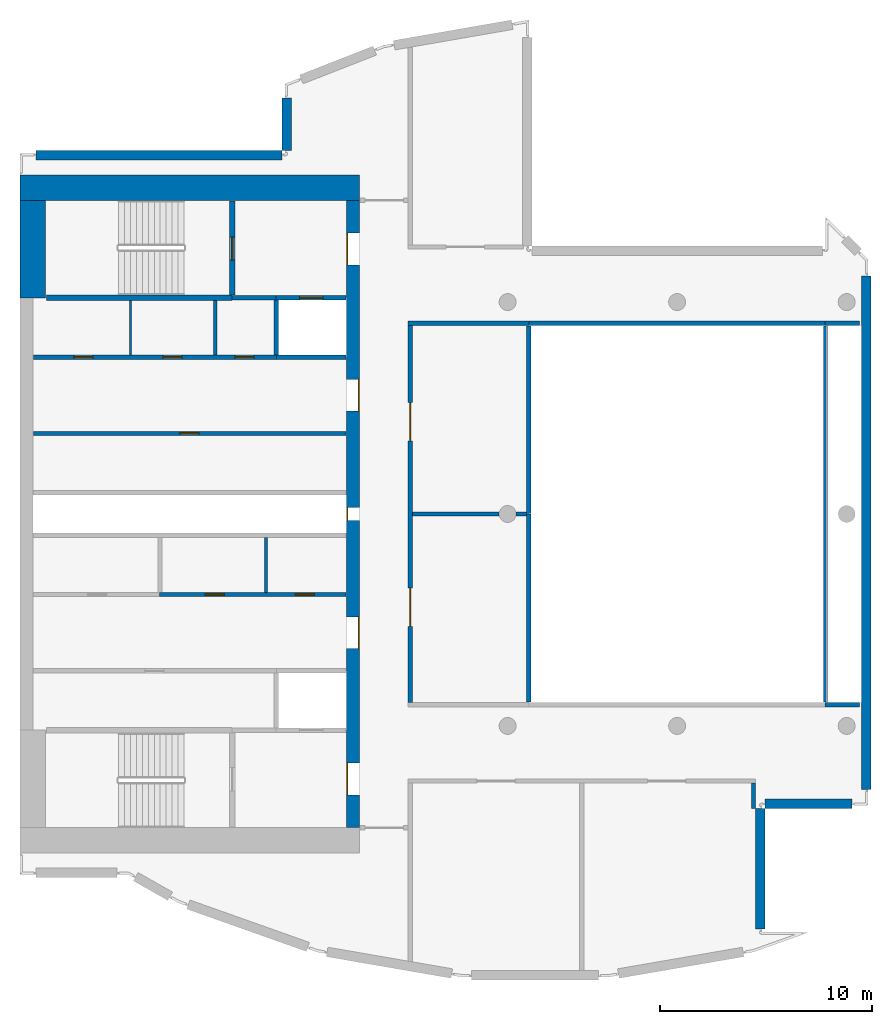
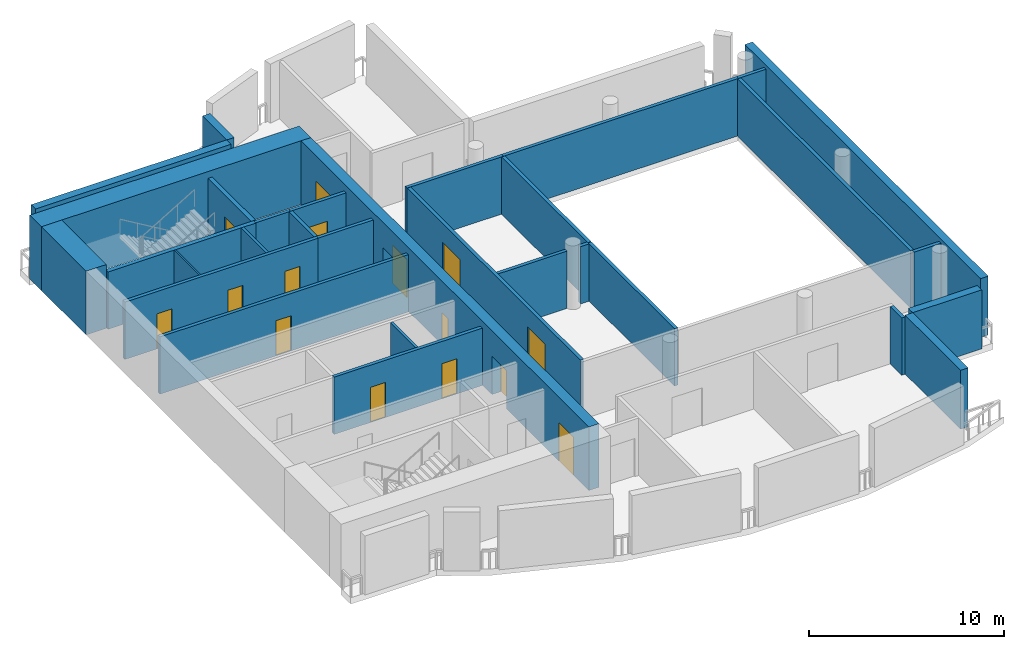
# One storey, part 2 of 8: 31 walls, 15 doors, 15 openings.
"""IFC4 building model written with IfcOpenShell, lengths in metres."""

from ifc_helpers import new_model, si_unit, direction, frame, frame_2d, origin, place, context, subcontext, project, spatial, rectangle, extrude, material, layer, layer_set, type_object, element, fill, save


model = new_model("IFC4")

# Units and contexts
model_context = context("Model", 3, precision=1e-05, world=origin(), true_north=direction((0.0, 1.0)))
body_context = subcontext(model_context, "Body", "Model", "MODEL_VIEW")
ifc_project = project(units=[si_unit("LENGTHUNIT", "METRE"), si_unit("AREAUNIT", "SQUARE_METRE"), si_unit("VOLUMEUNIT", "CUBIC_METRE"), si_unit("PLANEANGLEUNIT", "RADIAN"), si_unit("MASSUNIT", "GRAM", prefix="KILO")], contexts=[model_context])

# Site, building, storey
site_placement = place(None, origin())
site = spatial("IfcSite", under=ifc_project, at=site_placement, CompositionType="ELEMENT")
building_placement = place(site_placement, origin())
building = spatial("IfcBuilding", under=site, at=building_placement, Name="Cypress Arch Tower", CompositionType="ELEMENT")
storey_placement = place(building_placement, frame((0.0, 0.0, 347.0)))
storey = spatial("IfcBuildingStorey", under=building, at=storey_placement, Name="L79", CompositionType="ELEMENT", Elevation=347.0)

# Walls
ifc_material_1 = material(Name="Brick (red buff blend)", Category="masonry")
ifc_layer_1 = layer(ifc_material_1, 0.449951171875)
ifc_layer_set_1 = layer_set([ifc_layer_1], Name="Brick belt wall BW450-B")
wall_type_1 = type_object("IfcWallType", Name="Brick belt wall BW450-B", PredefinedType="SOLIDWALL", material=ifc_layer_set_1)
wall_1_placement = place(storey_placement, frame((4.925048828125, -19.590087890625, 0.0), z_axis=(0.0, 0.0, 1.0), x_axis=(0.0, 1.0, 0.0)))
element("IfcWall", 1, at=wall_1_placement, inside=storey, type_object=wall_type_1, Name="Brick wall L79 K08.0", PredefinedType="SOLIDWALL", context=body_context, shape_type="SweptSolid", body=[
    extrude(rectangle(XDim=5.7001953125, YDim=0.449951171875, at=frame_2d((2.85009765625, 0.0))), origin(), (0.0, 0.0, 1.0), 3.699951171875),
])
wall_2_placement = place(storey_placement, frame((5.14990234375, -13.6650390625, 0.0), z_axis=(0.0, 0.0, 1.0), x_axis=(1.0, 0.0, 0.0)))
element("IfcWall", 2, at=wall_2_placement, inside=storey, type_object=wall_type_1, Name="Brick wall L79 K09.0", PredefinedType="SOLIDWALL", context=body_context, shape_type="SweptSolid", body=[
    extrude(rectangle(XDim=4.10009765625, YDim=0.449951171875, at=frame_2d((2.050048828125, 0.0))), origin(), (0.0, 0.0, 1.0), 3.699951171875),
])
wall_3_placement = place(storey_placement, frame((9.925048828125, -12.989990234375, 0.0), z_axis=(0.0, 0.0, 1.0), x_axis=(0.0, 1.0, 0.0)))
element("IfcWall", 3, at=wall_3_placement, inside=storey, type_object=wall_type_1, Name="Brick wall L79 K10.0", PredefinedType="SOLIDWALL", context=body_context, shape_type="SweptSolid", body=[
    extrude(rectangle(XDim=24.229248046875, YDim=0.449951171875, at=frame_2d((12.11474609375, 0.0))), origin(), (0.0, 0.0, 1.0), 3.699951171875),
])
wall_4_placement = place(storey_placement, frame((-17.425048828125, 19.63525390625, 0.0), z_axis=(0.0, 0.0, 1.0), x_axis=(0.0, -1.0, 0.0)))
element("IfcWall", 4, at=wall_4_placement, inside=storey, type_object=wall_type_1, Name="Brick wall L79 K17.0", PredefinedType="SOLIDWALL", context=body_context, shape_type="SweptSolid", body=[
    extrude(rectangle(XDim=2.4853515625, YDim=0.449951171875, at=frame_2d((1.24267578125, 0.0))), origin(), (0.0, 0.0, 1.0), 3.699951171875),
])
wall_5_placement = place(storey_placement, frame((-17.64990234375, 16.925048828125, 0.0), z_axis=(0.0, 0.0, 1.0), x_axis=(-1.0, 0.0, 0.0)))
element("IfcWall", 5, at=wall_5_placement, inside=storey, type_object=wall_type_1, Name="Brick wall L79 K18.0", PredefinedType="SOLIDWALL", context=body_context, shape_type="SweptSolid", body=[
    extrude(rectangle(XDim=11.60009765625, YDim=0.449951171875, at=frame_2d((5.800048828125, 0.0))), origin(), (0.0, 0.0, 1.0), 3.699951171875),
])
ifc_material_2 = material(Name="Concrete C50/60", Category="concrete")
ifc_layer_2 = layer(ifc_material_2, 1.199951171875)
ifc_layer_set_2 = layer_set([ifc_layer_2], Name="Core wall CW1200 C50/60")
wall_type_2 = type_object("IfcWallType", Name="Core wall CW1200 C50/60", PredefinedType="SHEAR", material=ifc_layer_set_2)
wall_6_placement = place(storey_placement, frame((-30.0, 15.39990234375, 0.0), z_axis=(0.0, 0.0, 1.0), x_axis=(1.0, 0.0, 0.0)))
element("IfcWall", 6, at=wall_6_placement, inside=storey, type_object=wall_type_2, Name="Core wall", PredefinedType="SHEAR", context=body_context, shape_type="SweptSolid", body=[
    extrude(rectangle(XDim=16.0, YDim=1.199951171875, at=frame_2d((8.0, 0.0))), origin(), (0.0, 0.0, 1.0), 4.0),
])
wall_7_placement = place(storey_placement, frame((-29.39990234375, 10.199951171875, 0.0), z_axis=(0.0, 0.0, 1.0), x_axis=(0.0, 1.0, 0.0)))
element("IfcWall", 7, at=wall_7_placement, inside=storey, type_object=wall_type_2, Name="Core wall", PredefinedType="SHEAR", context=body_context, shape_type="SweptSolid", body=[
    extrude(rectangle(XDim=4.60009765625, YDim=1.199951171875, at=frame_2d((2.300048828125, 0.0))), origin(), (0.0, 0.0, 1.0), 4.0),
])

# Wall, openings, doors
ifc_material_3 = material(Name="Concrete C50/60", Category="concrete")
ifc_layer_3 = layer(ifc_material_3, 0.60009765625)
ifc_layer_set_3 = layer_set([ifc_layer_3], Name="Core wall CW600 C50/60")
wall_type_3 = type_object("IfcWallType", Name="Core wall CW600 C50/60", PredefinedType="SHEAR", material=ifc_layer_set_3)
wall_8_placement = place(storey_placement, frame((-14.300048828125, -14.800048828125, 0.0), z_axis=(0.0, 0.0, 1.0), x_axis=(0.0, 1.0, 0.0)))
wall_8 = element("IfcWall", 8, at=wall_8_placement, inside=storey, type_object=wall_type_3, Name="Core wall", PredefinedType="SHEAR", context=body_context, shape_type="SweptSolid", body=[
    extrude(rectangle(XDim=29.60009765625, YDim=0.60009765625, at=frame_2d((14.800048828125, 0.0))), origin(), (0.0, 0.0, 1.0), 4.0),
])
opening_1_placement = place(wall_8_placement, frame((1.550048828125, 0.0, 0.0)))
opening_1 = element("IfcOpeningElement", 9, at=opening_1_placement, cuts=wall_8, Name="Opening D07", PredefinedType="OPENING", context=body_context, shape_type="SweptSolid", body=[
    extrude(rectangle(XDim=1.5, YDim=2.39990234375, at=frame_2d((0.75, 1.199951171875))), frame((0.0, 0.31005859375, 0.0), z_axis=(0.0, -1.0, 0.0), x_axis=(1.0, 0.0, 0.0)), (0.0, 0.0, 1.0), 0.6201171875),
])
opening_2_placement = place(wall_8_placement, frame((26.550048828125, 0.0, 0.0)))
opening_2 = element("IfcOpeningElement", 10, at=opening_2_placement, cuts=wall_8, Name="Opening D07", PredefinedType="OPENING", context=body_context, shape_type="SweptSolid", body=[
    extrude(rectangle(XDim=1.5, YDim=2.39990234375, at=frame_2d((0.75, 1.199951171875))), frame((0.0, 0.31005859375, 0.0), z_axis=(0.0, -1.0, 0.0), x_axis=(1.0, 0.0, 0.0)), (0.0, 0.0, 1.0), 0.6201171875),
])
opening_3_placement = place(wall_8_placement, frame((8.449951171875, 0.0, 0.0)))
opening_3 = element("IfcOpeningElement", 11, at=opening_3_placement, cuts=wall_8, Name="Opening D07", PredefinedType="OPENING", context=body_context, shape_type="SweptSolid", body=[
    extrude(rectangle(XDim=1.5, YDim=2.39990234375, at=frame_2d((0.75, 1.199951171875))), frame((0.0, 0.31005859375, 0.0), z_axis=(0.0, -1.0, 0.0), x_axis=(1.0, 0.0, 0.0)), (0.0, 0.0, 1.0), 0.6201171875),
])
opening_4_placement = place(wall_8_placement, frame((19.64990234375, 0.0, 0.0)))
opening_4 = element("IfcOpeningElement", 12, at=opening_4_placement, cuts=wall_8, Name="Opening D07", PredefinedType="OPENING", context=body_context, shape_type="SweptSolid", body=[
    extrude(rectangle(XDim=1.5, YDim=2.39990234375, at=frame_2d((0.75, 1.199951171875))), frame((0.0, 0.31005859375, 0.0), z_axis=(0.0, -1.0, 0.0), x_axis=(1.0, 0.0, 0.0)), (0.0, 0.0, 1.0), 0.6201171875),
])
opening_5_placement = place(wall_8_placement, frame((14.5, 0.0, 0.0)))
opening_5 = element("IfcOpeningElement", 13, at=opening_5_placement, cuts=wall_8, Name="Opening D08", PredefinedType="OPENING", context=body_context, shape_type="SweptSolid", body=[
    extrude(rectangle(XDim=0.60009765625, YDim=2.0, at=frame_2d((0.300048828125, 1.0))), frame((0.0, 0.31005859375, 0.0), z_axis=(0.0, -1.0, 0.0), x_axis=(1.0, 0.0, 0.0)), (0.0, 0.0, 1.0), 0.6201171875),
])
ifc_material_4 = material(Name="Steel framed glazed door, fire resisting", Category="steel")
door_type_1 = type_object("IfcDoorType", Name="Lobby door D07 1500x2400", OperationType="DOUBLE_DOOR_SINGLE_SWING", PredefinedType="DOOR", material=ifc_material_4)
door_1_placement = place(opening_1_placement, origin())
door_1 = element("IfcDoor", 14, at=door_1_placement, inside=storey, type_object=door_type_1, Name="Lobby door", OperationType="DOUBLE_DOOR_SINGLE_SWING", OverallHeight=2.39990234375, OverallWidth=1.5, PredefinedType="DOOR", context=body_context, shape_type="SweptSolid", body=[
    extrude(rectangle(XDim=1.5, YDim=2.39990234375, at=frame_2d((0.75, 1.199951171875))), frame((0.0, 0.294921875, 0.0), z_axis=(0.0, -1.0, 0.0), x_axis=(1.0, 0.0, 0.0)), (0.0, 0.0, 1.0), 0.050048828125),
])
fill(opening_1, door_1)
door_2_placement = place(opening_2_placement, origin())
door_2 = element("IfcDoor", 15, at=door_2_placement, inside=storey, type_object=door_type_1, Name="Lobby door", OperationType="DOUBLE_DOOR_SINGLE_SWING", OverallHeight=2.39990234375, OverallWidth=1.5, PredefinedType="DOOR", context=body_context, shape_type="SweptSolid", body=[
    extrude(rectangle(XDim=1.5, YDim=2.39990234375, at=frame_2d((0.75, 1.199951171875))), frame((0.0, 0.294921875, 0.0), z_axis=(0.0, -1.0, 0.0), x_axis=(1.0, 0.0, 0.0)), (0.0, 0.0, 1.0), 0.050048828125),
])
fill(opening_2, door_2)
door_3_placement = place(opening_3_placement, origin())
door_3 = element("IfcDoor", 16, at=door_3_placement, inside=storey, type_object=door_type_1, Name="Lobby door", OperationType="DOUBLE_DOOR_SINGLE_SWING", OverallHeight=2.39990234375, OverallWidth=1.5, PredefinedType="DOOR", context=body_context, shape_type="SweptSolid", body=[
    extrude(rectangle(XDim=1.5, YDim=2.39990234375, at=frame_2d((0.75, 1.199951171875))), frame((0.0, -0.2451171875, 0.0), z_axis=(0.0, -1.0, 0.0), x_axis=(1.0, 0.0, 0.0)), (0.0, 0.0, 1.0), 0.050048828125),
])
fill(opening_3, door_3)
door_4_placement = place(opening_4_placement, origin())
door_4 = element("IfcDoor", 17, at=door_4_placement, inside=storey, type_object=door_type_1, Name="Lobby door", OperationType="DOUBLE_DOOR_SINGLE_SWING", OverallHeight=2.39990234375, OverallWidth=1.5, PredefinedType="DOOR", context=body_context, shape_type="SweptSolid", body=[
    extrude(rectangle(XDim=1.5, YDim=2.39990234375, at=frame_2d((0.75, 1.199951171875))), frame((0.0, -0.2451171875, 0.0), z_axis=(0.0, -1.0, 0.0), x_axis=(1.0, 0.0, 0.0)), (0.0, 0.0, 1.0), 0.050048828125),
])
fill(opening_4, door_4)
ifc_material_5 = material(Name="Steel access door, fire resisting", Category="steel")
door_type_2 = type_object("IfcDoorType", Name="Riser access door D08 600x2000", OperationType="SINGLE_SWING_LEFT", PredefinedType="DOOR", material=ifc_material_5)
door_5_placement = place(opening_5_placement, origin())
door_5 = element("IfcDoor", 18, at=door_5_placement, inside=storey, type_object=door_type_2, Name="Riser access door", OperationType="SINGLE_SWING_RIGHT", OverallHeight=2.0, OverallWidth=0.60009765625, PredefinedType="DOOR", context=body_context, shape_type="SweptSolid", body=[
    extrude(rectangle(XDim=0.60009765625, YDim=2.0, at=frame_2d((0.300048828125, 1.0))), frame((0.0, 0.294921875, 0.0), z_axis=(0.0, -1.0, 0.0), x_axis=(1.0, 0.0, 0.0)), (0.0, 0.0, 1.0), 0.050048828125),
])
fill(opening_5, door_5)

# Wall, opening, door
ifc_material_6 = material(Name="Concrete blockwork, plastered, rated", Category="masonry")
ifc_layer_4 = layer(ifc_material_6, 0.199951171875)
ifc_layer_set_4 = layer_set([ifc_layer_4], Name="Corridor wall FW200")
wall_type_4 = type_object("IfcWallType", Name="Corridor wall FW200", PredefinedType="PARTITIONING", material=ifc_layer_set_4)
wall_9_placement = place(storey_placement, frame((-29.3701171875, 3.800048828125, 0.0), z_axis=(0.0, 0.0, 1.0), x_axis=(1.0, 0.0, 0.0)))
wall_9 = element("IfcWall", 19, at=wall_9_placement, inside=storey, type_object=wall_type_4, Name="Corridor wall", PredefinedType="PARTITIONING", context=body_context, shape_type="SweptSolid", body=[
    extrude(rectangle(XDim=14.740234375, YDim=0.199951171875, at=frame_2d((7.3701171875, 0.0))), origin(), (0.0, 0.0, 1.0), 3.597900390625),
])
opening_6_placement = place(wall_9_placement, frame((6.89990234375, 0.0, 0.0)))
opening_6 = element("IfcOpeningElement", 20, at=opening_6_placement, cuts=wall_9, Name="Opening D05", PredefinedType="OPENING", context=body_context, shape_type="SweptSolid", body=[
    extrude(rectangle(XDim=0.89990234375, YDim=2.199951171875, at=frame_2d((0.449951171875, 1.10009765625))), frame((0.0, 0.10986328125, 0.0), z_axis=(0.0, -1.0, 0.0), x_axis=(1.0, 0.0, 0.0)), (0.0, 0.0, 1.0), 0.219970703125),
])
ifc_material_7 = material(Name="Timber flush door", Category="wood")
door_type_3 = type_object("IfcDoorType", Name="Service door D05 900x2200", OperationType="SINGLE_SWING_LEFT", PredefinedType="DOOR", material=ifc_material_7)
door_6_placement = place(opening_6_placement, origin())
door_6 = element("IfcDoor", 21, at=door_6_placement, inside=storey, type_object=door_type_3, Name="Service door", OperationType="SINGLE_SWING_RIGHT", OverallHeight=2.199951171875, OverallWidth=0.89990234375, PredefinedType="DOOR", context=body_context, shape_type="SweptSolid", body=[
    extrude(rectangle(XDim=0.89990234375, YDim=2.199951171875, at=frame_2d((0.449951171875, 1.10009765625))), frame((0.0, 0.02490234375, 0.0), z_axis=(0.0, -1.0, 0.0), x_axis=(1.0, 0.0, 0.0)), (0.0, 0.0, 1.0), 0.050048828125),
])
fill(opening_6, door_6)

# Wall, openings, doors
wall_10_placement = place(storey_placement, frame((-29.3701171875, 7.39990234375, 0.0), z_axis=(0.0, 0.0, 1.0), x_axis=(1.0, 0.0, 0.0)))
wall_10 = element("IfcWall", 22, at=wall_10_placement, inside=storey, type_object=wall_type_4, Name="Corridor wall", PredefinedType="PARTITIONING", context=body_context, shape_type="SweptSolid", body=[
    extrude(rectangle(XDim=11.47021484375, YDim=0.199951171875, at=frame_2d((5.735107421875, 0.0))), origin(), (0.0, 0.0, 1.0), 3.597900390625),
])
opening_7_placement = place(wall_10_placement, frame((1.89990234375, 0.0, 0.0)))
opening_7 = element("IfcOpeningElement", 23, at=opening_7_placement, cuts=wall_10, Name="Opening D05", PredefinedType="OPENING", context=body_context, shape_type="SweptSolid", body=[
    extrude(rectangle(XDim=0.89990234375, YDim=2.199951171875, at=frame_2d((0.449951171875, 1.10009765625))), frame((0.0, 0.10986328125, 0.0), z_axis=(0.0, -1.0, 0.0), x_axis=(1.0, 0.0, 0.0)), (0.0, 0.0, 1.0), 0.219970703125),
])
opening_8_placement = place(wall_10_placement, frame((6.10009765625, 0.0, 0.0)))
opening_8 = element("IfcOpeningElement", 24, at=opening_8_placement, cuts=wall_10, Name="Opening D05", PredefinedType="OPENING", context=body_context, shape_type="SweptSolid", body=[
    extrude(rectangle(XDim=0.89990234375, YDim=2.199951171875, at=frame_2d((0.449951171875, 1.10009765625))), frame((0.0, 0.10986328125, 0.0), z_axis=(0.0, -1.0, 0.0), x_axis=(1.0, 0.0, 0.0)), (0.0, 0.0, 1.0), 0.219970703125),
])
opening_9_placement = place(wall_10_placement, frame((9.5, 0.0, 0.0)))
opening_9 = element("IfcOpeningElement", 25, at=opening_9_placement, cuts=wall_10, Name="Opening D05", PredefinedType="OPENING", context=body_context, shape_type="SweptSolid", body=[
    extrude(rectangle(XDim=0.89990234375, YDim=2.199951171875, at=frame_2d((0.449951171875, 1.10009765625))), frame((0.0, 0.10986328125, 0.0), z_axis=(0.0, -1.0, 0.0), x_axis=(1.0, 0.0, 0.0)), (0.0, 0.0, 1.0), 0.219970703125),
])
door_7_placement = place(opening_7_placement, origin())
door_7 = element("IfcDoor", 26, at=door_7_placement, inside=storey, type_object=door_type_3, Name="Service door", OperationType="SINGLE_SWING_RIGHT", OverallHeight=2.199951171875, OverallWidth=0.89990234375, PredefinedType="DOOR", context=body_context, shape_type="SweptSolid", body=[
    extrude(rectangle(XDim=0.89990234375, YDim=2.199951171875, at=frame_2d((0.449951171875, 1.10009765625))), frame((0.0, 0.02490234375, 0.0), z_axis=(0.0, -1.0, 0.0), x_axis=(1.0, 0.0, 0.0)), (0.0, 0.0, 1.0), 0.050048828125),
])
fill(opening_7, door_7)
door_8_placement = place(opening_8_placement, origin())
door_8 = element("IfcDoor", 27, at=door_8_placement, inside=storey, type_object=door_type_3, Name="Service door", OperationType="SINGLE_SWING_LEFT", OverallHeight=2.199951171875, OverallWidth=0.89990234375, PredefinedType="DOOR", context=body_context, shape_type="SweptSolid", body=[
    extrude(rectangle(XDim=0.89990234375, YDim=2.199951171875, at=frame_2d((0.449951171875, 1.10009765625))), frame((0.0, 0.02490234375, 0.0), z_axis=(0.0, -1.0, 0.0), x_axis=(1.0, 0.0, 0.0)), (0.0, 0.0, 1.0), 0.050048828125),
])
fill(opening_8, door_8)
door_9_placement = place(opening_9_placement, origin())
door_9 = element("IfcDoor", 28, at=door_9_placement, inside=storey, type_object=door_type_3, Name="Service door", OperationType="SINGLE_SWING_LEFT", OverallHeight=2.199951171875, OverallWidth=0.89990234375, PredefinedType="DOOR", context=body_context, shape_type="SweptSolid", body=[
    extrude(rectangle(XDim=0.89990234375, YDim=2.199951171875, at=frame_2d((0.449951171875, 1.10009765625))), frame((0.0, 0.02490234375, 0.0), z_axis=(0.0, -1.0, 0.0), x_axis=(1.0, 0.0, 0.0)), (0.0, 0.0, 1.0), 0.050048828125),
])
fill(opening_9, door_9)

wall_11_placement = place(storey_placement, frame((-23.419921875, -3.800048828125, 0.0), z_axis=(0.0, 0.0, 1.0), x_axis=(1.0, 0.0, 0.0)))
wall_11 = element("IfcWall", 29, at=wall_11_placement, inside=storey, type_object=wall_type_4, Name="Corridor wall", PredefinedType="PARTITIONING", context=body_context, shape_type="SweptSolid", body=[
    extrude(rectangle(XDim=8.7900390625, YDim=0.199951171875, at=frame_2d((4.39501953125, 0.0))), origin(), (0.0, 0.0, 1.0), 3.597900390625),
])
opening_10_placement = place(wall_11_placement, frame((2.14990234375, 0.0, 0.0)))
opening_10 = element("IfcOpeningElement", 30, at=opening_10_placement, cuts=wall_11, Name="Opening D05", PredefinedType="OPENING", context=body_context, shape_type="SweptSolid", body=[
    extrude(rectangle(XDim=0.89990234375, YDim=2.199951171875, at=frame_2d((0.449951171875, 1.10009765625))), frame((0.0, 0.10986328125, 0.0), z_axis=(0.0, -1.0, 0.0), x_axis=(1.0, 0.0, 0.0)), (0.0, 0.0, 1.0), 0.219970703125),
])
opening_11_placement = place(wall_11_placement, frame((6.39990234375, 0.0, 0.0)))
opening_11 = element("IfcOpeningElement", 31, at=opening_11_placement, cuts=wall_11, Name="Opening D05", PredefinedType="OPENING", context=body_context, shape_type="SweptSolid", body=[
    extrude(rectangle(XDim=0.89990234375, YDim=2.199951171875, at=frame_2d((0.449951171875, 1.10009765625))), frame((0.0, 0.10986328125, 0.0), z_axis=(0.0, -1.0, 0.0), x_axis=(1.0, 0.0, 0.0)), (0.0, 0.0, 1.0), 0.219970703125),
])
door_10_placement = place(opening_10_placement, origin())
door_10 = element("IfcDoor", 32, at=door_10_placement, inside=storey, type_object=door_type_3, Name="Service door", OperationType="SINGLE_SWING_RIGHT", OverallHeight=2.199951171875, OverallWidth=0.89990234375, PredefinedType="DOOR", context=body_context, shape_type="SweptSolid", body=[
    extrude(rectangle(XDim=0.89990234375, YDim=2.199951171875, at=frame_2d((0.449951171875, 1.10009765625))), frame((0.0, 0.02490234375, 0.0), z_axis=(0.0, -1.0, 0.0), x_axis=(1.0, 0.0, 0.0)), (0.0, 0.0, 1.0), 0.050048828125),
])
fill(opening_10, door_10)
door_11_placement = place(opening_11_placement, origin())
door_11 = element("IfcDoor", 33, at=door_11_placement, inside=storey, type_object=door_type_3, Name="Service door", OperationType="SINGLE_SWING_LEFT", OverallHeight=2.199951171875, OverallWidth=0.89990234375, PredefinedType="DOOR", context=body_context, shape_type="SweptSolid", body=[
    extrude(rectangle(XDim=0.89990234375, YDim=2.199951171875, at=frame_2d((0.449951171875, 1.10009765625))), frame((0.0, 0.02490234375, 0.0), z_axis=(0.0, -1.0, 0.0), x_axis=(1.0, 0.0, 0.0)), (0.0, 0.0, 1.0), 0.050048828125),
])
fill(opening_11, door_11)

# Walls
wall_12_placement = place(storey_placement, frame((-20.0, 10.199951171875, 0.0), z_axis=(0.0, 0.0, 1.0), x_axis=(1.0, 0.0, 0.0)))
element("IfcWall", 34, at=wall_12_placement, inside=storey, type_object=wall_type_4, Name="Corridor wall", PredefinedType="PARTITIONING", context=body_context, shape_type="SweptSolid", body=[
    extrude(rectangle(XDim=2.080078125, YDim=0.199951171875, at=frame_2d((1.0400390625, 0.0))), origin(), (0.0, 0.0, 1.0), 3.597900390625),
])
wall_13_placement = place(storey_placement, frame((-5.97998046875, 9.0, 0.0), z_axis=(0.0, 0.0, 1.0), x_axis=(1.0, 0.0, 0.0)))
element("IfcWall", 35, at=wall_13_placement, inside=storey, type_object=wall_type_4, Name="Corridor wall", PredefinedType="PARTITIONING", context=body_context, shape_type="SweptSolid", body=[
    extrude(rectangle(XDim=13.9599609375, YDim=0.199951171875, at=frame_2d((6.97998046875, 0.0))), origin(), (0.0, 0.0, 1.0), 3.597900390625),
])
ifc_material_8 = material(Name="Blockwork, plastered both sides", Category="masonry")
ifc_layer_5 = layer(ifc_material_8, 0.14990234375)
ifc_layer_set_5 = layer_set([ifc_layer_5], Name="Partition PW150")
wall_type_5 = type_object("IfcWallType", Name="Partition PW150", PredefinedType="PARTITIONING", material=ifc_layer_set_5)
wall_14_placement = place(storey_placement, frame((-20.800048828125, 7.5, 0.0), z_axis=(0.0, 0.0, 1.0), x_axis=(0.0, 1.0, 0.0)))
element("IfcWall", 36, at=wall_14_placement, inside=storey, type_object=wall_type_5, Name="Partition", PredefinedType="PARTITIONING", context=body_context, shape_type="SweptSolid", body=[
    extrude(rectangle(XDim=2.574951171875, YDim=0.14990234375, at=frame_2d((1.28759765625, 0.0))), origin(), (0.0, 0.0, 1.0), 3.597900390625),
])
wall_15_placement = place(storey_placement, frame((-18.39990234375, -3.699951171875, 0.0), z_axis=(0.0, 0.0, 1.0), x_axis=(0.0, 1.0, 0.0)))
element("IfcWall", 37, at=wall_15_placement, inside=storey, type_object=wall_type_5, Name="Partition", PredefinedType="PARTITIONING", context=body_context, shape_type="SweptSolid", body=[
    extrude(rectangle(XDim=2.599853515625, YDim=0.14990234375, at=frame_2d((1.2998046875, 0.0))), origin(), (0.0, 0.0, 1.0), 3.597900390625),
])

# Wall, openings, doors
ifc_material_9 = material(Name="Reinforced blockwork, plastered, rated", Category="masonry")
ifc_layer_6 = layer(ifc_material_9, 0.199951171875)
ifc_layer_set_6 = layer_set([ifc_layer_6], Name="Plant and riser wall PL200")
wall_type_6 = type_object("IfcWallType", Name="Plant and riser wall PL200", PredefinedType="PARTITIONING", material=ifc_layer_set_6)
wall_16_placement = place(storey_placement, frame((-11.60009765625, -8.89892578125, 0.0), z_axis=(0.0, 0.0, 1.0), x_axis=(0.0, 1.0, 0.0)))
wall_16 = element("IfcWall", 38, at=wall_16_placement, inside=storey, type_object=wall_type_6, Name="Plant and riser wall", PredefinedType="PARTITIONING", context=body_context, shape_type="SweptSolid", body=[
    extrude(rectangle(XDim=17.7978515625, YDim=0.199951171875, at=frame_2d((8.89892578125, 0.0))), origin(), (0.0, 0.0, 1.0), 3.597900390625),
])
opening_12_placement = place(wall_16_placement, frame((3.60009765625, 0.0, 0.0)))
opening_12 = element("IfcOpeningElement", 39, at=opening_12_placement, cuts=wall_16, Name="Opening D09", PredefinedType="OPENING", context=body_context, shape_type="SweptSolid", body=[
    extrude(rectangle(XDim=1.800048828125, YDim=2.39990234375, at=frame_2d((0.89990234375, 1.199951171875))), frame((0.0, 0.10986328125, 0.0), z_axis=(0.0, -1.0, 0.0), x_axis=(1.0, 0.0, 0.0)), (0.0, 0.0, 1.0), 0.219970703125),
])
opening_13_placement = place(wall_16_placement, frame((12.35009765625, 0.0, 0.0)))
opening_13 = element("IfcOpeningElement", 40, at=opening_13_placement, cuts=wall_16, Name="Opening D09", PredefinedType="OPENING", context=body_context, shape_type="SweptSolid", body=[
    extrude(rectangle(XDim=1.800048828125, YDim=2.39990234375, at=frame_2d((0.89990234375, 1.199951171875))), frame((0.0, 0.10986328125, 0.0), z_axis=(0.0, -1.0, 0.0), x_axis=(1.0, 0.0, 0.0)), (0.0, 0.0, 1.0), 0.219970703125),
])
ifc_material_10 = material(Name="Steel door, fire resisting", Category="steel")
door_type_4 = type_object("IfcDoorType", Name="Plant room door D09 1800x2400", OperationType="DOUBLE_DOOR_SINGLE_SWING", PredefinedType="DOOR", material=ifc_material_10)
door_12_placement = place(opening_12_placement, origin())
door_12 = element("IfcDoor", 41, at=door_12_placement, inside=storey, type_object=door_type_4, Name="Plant room door", OperationType="DOUBLE_DOOR_SINGLE_SWING", OverallHeight=2.39990234375, OverallWidth=1.800048828125, PredefinedType="DOOR", context=body_context, shape_type="SweptSolid", body=[
    extrude(rectangle(XDim=1.800048828125, YDim=2.39990234375, at=frame_2d((0.89990234375, 1.199951171875))), frame((0.0, 0.02490234375, 0.0), z_axis=(0.0, -1.0, 0.0), x_axis=(1.0, 0.0, 0.0)), (0.0, 0.0, 1.0), 0.050048828125),
])
fill(opening_12, door_12)
door_13_placement = place(opening_13_placement, origin())
door_13 = element("IfcDoor", 42, at=door_13_placement, inside=storey, type_object=door_type_4, Name="Plant room door", OperationType="DOUBLE_DOOR_SINGLE_SWING", OverallHeight=2.39990234375, OverallWidth=1.800048828125, PredefinedType="DOOR", context=body_context, shape_type="SweptSolid", body=[
    extrude(rectangle(XDim=1.800048828125, YDim=2.39990234375, at=frame_2d((0.89990234375, 1.199951171875))), frame((0.0, 0.02490234375, 0.0), z_axis=(0.0, -1.0, 0.0), x_axis=(1.0, 0.0, 0.0)), (0.0, 0.0, 1.0), 0.050048828125),
])
fill(opening_13, door_13)

# Walls
wall_17_placement = place(storey_placement, frame((-11.5, 0.0, 0.0), z_axis=(0.0, 0.0, 1.0), x_axis=(1.0, 0.0, 0.0)))
element("IfcWall", 43, at=wall_17_placement, inside=storey, type_object=wall_type_6, Name="Plant and riser wall", PredefinedType="PARTITIONING", context=body_context, shape_type="SweptSolid", body=[
    extrude(rectangle(XDim=4.10009765625, YDim=0.199951171875, at=frame_2d((2.050048828125, 0.0))), origin(), (0.0, 0.0, 1.0), 3.597900390625),
])
wall_18_placement = place(storey_placement, frame((-6.60009765625, 0.0, 0.0), z_axis=(0.0, 0.0, 1.0), x_axis=(1.0, 0.0, 0.0)))
element("IfcWall", 44, at=wall_18_placement, inside=storey, type_object=wall_type_6, Name="Plant and riser wall", PredefinedType="PARTITIONING", context=body_context, shape_type="SweptSolid", body=[
    extrude(rectangle(XDim=0.5, YDim=0.199951171875, at=frame_2d((0.25, 0.0))), origin(), (0.0, 0.0, 1.0), 3.597900390625),
])
wall_19_placement = place(storey_placement, frame((-11.698974609375, 9.0, 0.0), z_axis=(0.0, 0.0, 1.0), x_axis=(1.0, 0.0, 0.0)))
element("IfcWall", 45, at=wall_19_placement, inside=storey, type_object=wall_type_6, Name="Plant and riser wall", PredefinedType="PARTITIONING", context=body_context, shape_type="SweptSolid", body=[
    extrude(rectangle(XDim=5.718994140625, YDim=0.199951171875, at=frame_2d((2.859375, 0.0))), origin(), (0.0, 0.0, 1.0), 3.597900390625),
])
wall_20_placement = place(storey_placement, frame((-6.0, -8.8798828125, 0.0), z_axis=(0.0, 0.0, 1.0), x_axis=(0.0, 1.0, 0.0)))
element("IfcWall", 46, at=wall_20_placement, inside=storey, type_object=wall_type_6, Name="Plant and riser wall", PredefinedType="PARTITIONING", context=body_context, shape_type="SweptSolid", body=[
    extrude(rectangle(XDim=8.8798828125, YDim=0.199951171875, at=frame_2d((4.43994140625, 0.0))), origin(), (0.0, 0.0, 1.0), 3.597900390625),
])
wall_21_placement = place(storey_placement, frame((-6.0, 0.02001953125, 0.0), z_axis=(0.0, 0.0, 1.0), x_axis=(0.0, 1.0, 0.0)))
element("IfcWall", 47, at=wall_21_placement, inside=storey, type_object=wall_type_6, Name="Plant and riser wall", PredefinedType="PARTITIONING", context=body_context, shape_type="SweptSolid", body=[
    extrude(rectangle(XDim=8.85986328125, YDim=0.199951171875, at=frame_2d((4.429931640625, 0.0))), origin(), (0.0, 0.0, 1.0), 3.597900390625),
])
wall_22_placement = place(storey_placement, frame((4.60009765625, -13.889892578125, 0.0), z_axis=(0.0, 0.0, 1.0), x_axis=(0.0, 1.0, 0.0)))
element("IfcWall", 48, at=wall_22_placement, inside=storey, type_object=wall_type_6, Name="Plant and riser wall", PredefinedType="PARTITIONING", context=body_context, shape_type="SweptSolid", body=[
    extrude(rectangle(XDim=1.18896484375, YDim=0.199951171875, at=frame_2d((0.594482421875, 0.0))), origin(), (0.0, 0.0, 1.0), 3.597900390625),
])
for number, where, z_axis, x_axis, name in (
    (49, (7.97998046875, -9.0, 0.0), (0.0, 0.0, 1.0), (1.0, 0.0, 0.0), "Plant and riser wall"),
    (50, (7.97998046875, 9.0, 0.0), (0.0, 0.0, 1.0), (1.0, 0.0, 0.0), "Plant and riser wall"),
):
    element("IfcWall", number, at=place(storey_placement, frame(where, z_axis=z_axis, x_axis=x_axis)), inside=storey, type_object=wall_type_6, Name=name, PredefinedType="PARTITIONING", context=body_context, shape_type="SweptSolid", body=[
        extrude(rectangle(XDim=1.619873046875, YDim=0.199951171875, at=frame_2d((0.81005859375, 0.0))), origin(), (0.0, 0.0, 1.0), 3.597900390625),
    ])
wall_23_placement = place(storey_placement, frame((8.0, -8.8798828125, 0.0), z_axis=(0.0, 0.0, 1.0), x_axis=(0.0, 1.0, 0.0)))
element("IfcWall", 51, at=wall_23_placement, inside=storey, type_object=wall_type_6, Name="Plant and riser wall", PredefinedType="PARTITIONING", context=body_context, shape_type="SweptSolid", body=[
    extrude(rectangle(XDim=17.759765625, YDim=0.199951171875, at=frame_2d((8.8798828125, 0.0))), origin(), (0.0, 0.0, 1.0), 3.597900390625),
])
ifc_material_11 = material(Name="Concrete C50/60", Category="concrete")
ifc_layer_7 = layer(ifc_material_11, 0.199951171875)
ifc_layer_set_7 = layer_set([ifc_layer_7], Name="Shaft wall SH200")
wall_type_7 = type_object("IfcWallType", Name="Shaft wall SH200", PredefinedType="SHEAR", material=ifc_layer_set_7)
wall_24_placement = place(storey_placement, frame((-17.919921875, 7.5, 0.0), z_axis=(0.0, 0.0, 1.0), x_axis=(0.0, 1.0, 0.0)))
element("IfcWall", 52, at=wall_24_placement, inside=storey, type_object=wall_type_7, Name="Shaft wall", PredefinedType="SHEAR", context=body_context, shape_type="SweptSolid", body=[
    extrude(rectangle(XDim=2.60009765625, YDim=0.199951171875, at=frame_2d((1.300048828125, 0.0))), origin(), (0.0, 0.0, 1.0), 3.597900390625),
])
wall_25_placement = place(storey_placement, frame((-17.89990234375, 7.39990234375, 0.0), z_axis=(0.0, 0.0, 1.0), x_axis=(1.0, 0.0, 0.0)))
element("IfcWall", 53, at=wall_25_placement, inside=storey, type_object=wall_type_7, Name="Shaft wall", PredefinedType="SHEAR", context=body_context, shape_type="SweptSolid", body=[
    extrude(rectangle(XDim=3.27001953125, YDim=0.199951171875, at=frame_2d((1.635009765625, 0.0))), origin(), (0.0, 0.0, 1.0), 3.597900390625),
])

# Wall, opening, door
wall_26_placement = place(storey_placement, frame((-17.919921875, 10.199951171875, 0.0), z_axis=(0.0, 0.0, 1.0), x_axis=(1.0, 0.0, 0.0)))
wall_26 = element("IfcWall", 54, at=wall_26_placement, inside=storey, type_object=wall_type_7, Name="Shaft wall", PredefinedType="SHEAR", context=body_context, shape_type="SweptSolid", body=[
    extrude(rectangle(XDim=3.2900390625, YDim=0.199951171875, at=frame_2d((1.64501953125, 0.0))), origin(), (0.0, 0.0, 1.0), 3.597900390625),
])
opening_14_placement = place(wall_26_placement, frame((1.10009765625, 0.0, 0.0)))
opening_14 = element("IfcOpeningElement", 55, at=opening_14_placement, cuts=wall_26, Name="Opening LD-FL2", PredefinedType="OPENING", context=body_context, shape_type="SweptSolid", body=[
    extrude(rectangle(XDim=1.10009765625, YDim=2.199951171875, at=frame_2d((0.550048828125, 1.10009765625))), frame((0.0, 0.10986328125, 0.0), z_axis=(0.0, -1.0, 0.0), x_axis=(1.0, 0.0, 0.0)), (0.0, 0.0, 1.0), 0.219970703125),
])
ifc_material_12 = material(Name="Stainless steel centre-opening landing door, rated", Category="steel")
door_type_5 = type_object("IfcDoorType", Name="Lift landing door LD 1100x2200", OperationType="DOUBLE_DOOR_SLIDING", PredefinedType="DOOR", material=ifc_material_12)
door_14_placement = place(opening_14_placement, origin())
door_14 = element("IfcDoor", 56, at=door_14_placement, inside=storey, type_object=door_type_5, Name="Lift landing doors FL2", OperationType="DOUBLE_DOOR_SLIDING", OverallHeight=2.199951171875, OverallWidth=1.10009765625, PredefinedType="DOOR", context=body_context, shape_type="SweptSolid", body=[
    extrude(rectangle(XDim=1.10009765625, YDim=2.199951171875, at=frame_2d((0.550048828125, 1.10009765625))), frame((0.0, 0.02490234375, 0.0), z_axis=(0.0, -1.0, 0.0), x_axis=(1.0, 0.0, 0.0)), (0.0, 0.0, 1.0), 0.050048828125),
])
fill(opening_14, door_14)

# Wall
ifc_material_13 = material(Name="Concrete C50/60", Category="concrete")
ifc_layer_8 = layer(ifc_material_13, 0.25)
ifc_layer_set_8 = layer_set([ifc_layer_8], Name="Stair enclosure wall SW250")
wall_type_8 = type_object("IfcWallType", Name="Stair enclosure wall SW250", PredefinedType="SHEAR", material=ifc_layer_set_8)
wall_27_placement = place(storey_placement, frame((-28.77001953125, 10.199951171875, 0.0), z_axis=(0.0, 0.0, 1.0), x_axis=(1.0, 0.0, 0.0)))
element("IfcWall", 57, at=wall_27_placement, inside=storey, type_object=wall_type_8, Name="Stair enclosure wall", PredefinedType="SHEAR", context=body_context, shape_type="SweptSolid", body=[
    extrude(rectangle(XDim=8.77001953125, YDim=0.25, at=frame_2d((4.385009765625, 0.0))), origin(), (0.0, 0.0, 1.0), 3.597900390625),
])

# Wall, opening, door
wall_28_placement = place(storey_placement, frame((-20.0, 10.324951171875, 0.0), z_axis=(0.0, 0.0, 1.0), x_axis=(0.0, 1.0, 0.0)))
wall_28 = element("IfcWall", 58, at=wall_28_placement, inside=storey, type_object=wall_type_8, Name="Stair enclosure wall", PredefinedType="SHEAR", context=body_context, shape_type="SweptSolid", body=[
    extrude(rectangle(XDim=4.445068359375, YDim=0.25, at=frame_2d((2.22265625, 0.0))), origin(), (0.0, 0.0, 1.0), 3.597900390625),
])
opening_15_placement = place(wall_28_placement, frame((1.64990234375, 0.0, 0.0)))
opening_15 = element("IfcOpeningElement", 59, at=opening_15_placement, cuts=wall_28, Name="Opening D06", PredefinedType="OPENING", context=body_context, shape_type="SweptSolid", body=[
    extrude(rectangle(XDim=1.10009765625, YDim=2.199951171875, at=frame_2d((0.550048828125, 1.10009765625))), frame((0.0, 0.135009765625, 0.0), z_axis=(0.0, -1.0, 0.0), x_axis=(1.0, 0.0, 0.0)), (0.0, 0.0, 1.0), 0.27001953125),
])
ifc_material_14 = material(Name="Steel door, fire resisting, panic bar", Category="steel")
door_type_6 = type_object("IfcDoorType", Name="Stair door D06 1100x2200", OperationType="SINGLE_SWING_LEFT", PredefinedType="DOOR", material=ifc_material_14)
door_15_placement = place(opening_15_placement, origin())
door_15 = element("IfcDoor", 60, at=door_15_placement, inside=storey, type_object=door_type_6, Name="Stair door", OperationType="SINGLE_SWING_LEFT", OverallHeight=2.199951171875, OverallWidth=1.10009765625, PredefinedType="DOOR", context=body_context, shape_type="SweptSolid", body=[
    extrude(rectangle(XDim=1.10009765625, YDim=2.199951171875, at=frame_2d((0.550048828125, 1.10009765625))), frame((0.0, 0.02490234375, 0.0), z_axis=(0.0, -1.0, 0.0), x_axis=(1.0, 0.0, 0.0)), (0.0, 0.0, 1.0), 0.050048828125),
])
fill(opening_15, door_15)

# Wall
ifc_material_15 = material(Name="Moisture resistant board on steel studs, tiled", Category="steel")
ifc_layer_9 = layer(ifc_material_15, 0.10009765625)
ifc_layer_set_9 = layer_set([ifc_layer_9], Name="Wet wall PW100")
wall_type_9 = type_object("IfcWallType", Name="Wet wall PW100", PredefinedType="PARTITIONING", material=ifc_layer_set_9)
wall_29_placement = place(storey_placement, frame((-24.800048828125, 7.5, 0.0), z_axis=(0.0, 0.0, 1.0), x_axis=(0.0, 1.0, 0.0)))
element("IfcWall", 61, at=wall_29_placement, inside=storey, type_object=wall_type_9, Name="Wet wall", PredefinedType="PARTITIONING", context=body_context, shape_type="SweptSolid", body=[
    extrude(rectangle(XDim=2.574951171875, YDim=0.10009765625, at=frame_2d((1.28759765625, 0.0))), origin(), (0.0, 0.0, 1.0), 3.597900390625),
])

save(model, "model.ifc")
